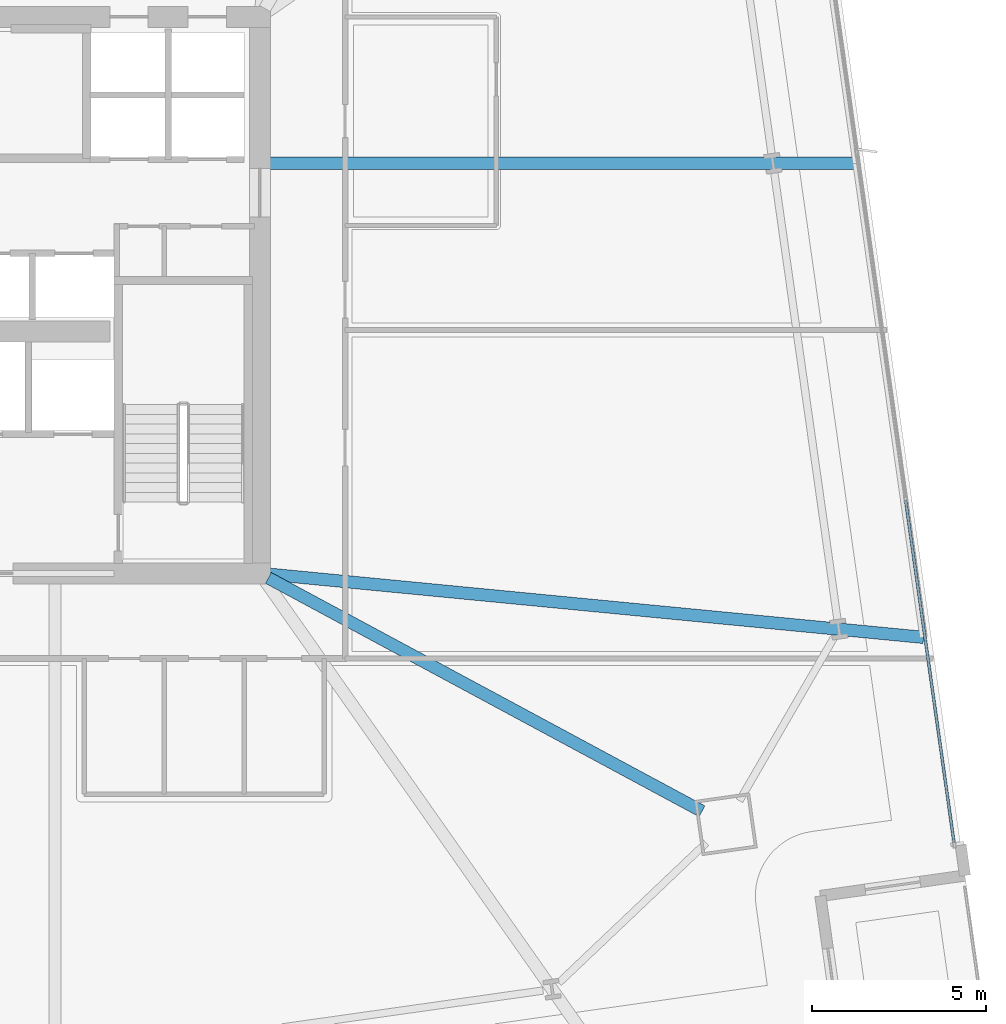
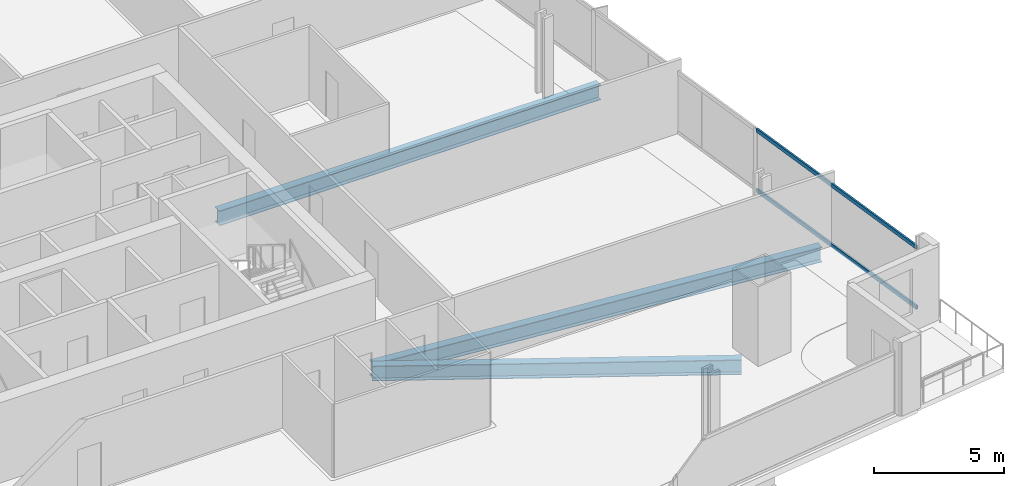
# One storey, part 12 of 33: 3 beams, 2 members, 1 element without a shape of its own.
"""IFC4 building model written with IfcOpenShell, lengths in metres."""

from ifc_helpers import new_model, si_unit, direction, frame, origin, origin_2d, place, context, subcontext, project, spatial, hollow_rectangle, i_section, extrude, material, material_profile, profile_set, type_object, element, aggregate, save


model = new_model("IFC4")

# Units and contexts
model_context = context("Model", 3, precision=1e-05, world=origin(), true_north=direction((0.0, 1.0)))
body_context = subcontext(model_context, "Body", "Model", "MODEL_VIEW")
ifc_project = project(units=[si_unit("LENGTHUNIT", "METRE"), si_unit("AREAUNIT", "SQUARE_METRE"), si_unit("VOLUMEUNIT", "CUBIC_METRE"), si_unit("PLANEANGLEUNIT", "RADIAN"), si_unit("MASSUNIT", "GRAM", prefix="KILO")], contexts=[model_context])

# Site, building, storey
site_placement = place(None, origin())
site = spatial("IfcSite", under=ifc_project, at=site_placement, CompositionType="ELEMENT")
building_placement = place(site_placement, origin())
building = spatial("IfcBuilding", under=site, at=building_placement, Name="Haldenkirk Collegiate Tower", CompositionType="ELEMENT")
storey_placement = place(building_placement, frame((0.0, 0.0, 55.199951171875)))
storey = spatial("IfcBuildingStorey", under=building, at=storey_placement, Name="L12", CompositionType="ELEMENT", Elevation=55.199951171875)

# Beams
ifc_material_1 = material(Name="Steel ASTM A992 Grade 50", Category="steel")
ifc_material_profile_1 = material_profile(ifc_material_1, i_section(OverallWidth=0.35498046875, OverallDepth=0.696044921875, WebThickness=0.015380859375, FlangeThickness=0.02490234375, at=origin_2d()), Name="W27X146")
ifc_profile_set_1 = profile_set([ifc_material_profile_1], Name="Steel ASTM A992 Grade 50")
beam_type = type_object("IfcBeamType", Name="BM-GIRDER-W27X146", PredefinedType="BEAM", material=ifc_profile_set_1)
beam_1_placement = place(storey_placement, frame((57.71435546875, 11.15673828125, -0.657958984375), z_axis=(-0.880558564783, 0.473937352386, 0.0), x_axis=(-0.473937352386, -0.880558564783, 0.0)))
element("IfcBeam", 1, at=beam_1_placement, inside=storey, type_object=beam_type, Name="L12 primary floor girder 02", PredefinedType="BEAM", context=body_context, shape_type="SweptSolid", body=[
    extrude(i_section(OverallWidth=0.35498046875, OverallDepth=0.696044921875, WebThickness=0.015380859375, FlangeThickness=0.02490234375, at=origin_2d()), origin(), (0.0, 0.0, 1.0), 14.158935546875),
])
beam_2_placement = place(storey_placement, frame((64.0849609375, 16.15771484375, -0.657958984375), z_axis=(-0.995372925008, 0.096087148778, 0.0), x_axis=(-0.096087148778, -0.995372925008, 0.0)))
element("IfcBeam", 2, at=beam_2_placement, inside=storey, type_object=beam_type, Name="L12 primary floor girder 08", PredefinedType="BEAM", context=body_context, shape_type="SweptSolid", body=[
    extrude(i_section(OverallWidth=0.35498046875, OverallDepth=0.696044921875, WebThickness=0.015380859375, FlangeThickness=0.02490234375, at=origin_2d()), origin(), (0.0, 0.0, 1.0), 18.8935546875),
])
beam_3_placement = place(storey_placement, frame((62.1572265625, 29.788818359375, -0.657958984375), z_axis=(-1.0, 0.0, 0.0), x_axis=(0.0, -1.0, 0.0)))
element("IfcBeam", 3, at=beam_3_placement, inside=storey, type_object=beam_type, Name="L12 primary floor girder 09", PredefinedType="BEAM", context=body_context, shape_type="SweptSolid", body=[
    extrude(i_section(OverallWidth=0.35498046875, OverallDepth=0.696044921875, WebThickness=0.015380859375, FlangeThickness=0.02490234375, at=origin_2d()), origin(), (0.0, 0.0, 1.0), 16.877197265625),
])

# Curtain wall, members
ifc_material_2 = material(Name="Anodised architectural bronze aluminium", Category="aluminium")
curtain_wall_type = type_object("IfcCurtainWallType", Name="CW-SYS1-CONVEX-LOW", PredefinedType="USERDEFINED", material=ifc_material_2)
curtain_wall_placement = place(storey_placement, origin())
curtain_wall = element("IfcCurtainWall", 4, at=curtain_wall_placement, inside=storey, type_object=curtain_wall_type, Name="L12 Lower tower convex bronze-framed unitised curtain wall", ObjectType="UNITISED CURTAIN WALL", PredefinedType="USERDEFINED")
ifc_material_profile_2 = material_profile(ifc_material_2, hollow_rectangle(XDim=0.080078125, YDim=0.179931640625, WallThickness=0.0048828125, at=origin_2d()), Name="CW-TRN-1A")
ifc_profile_set_2 = profile_set([ifc_material_profile_2], Name="Anodised architectural bronze aluminium")
member_type = type_object("IfcMemberType", Name="CW-TRN-1A", PredefinedType="USERDEFINED", material=ifc_profile_set_2)
member_1_placement = place(storey_placement, frame((63.567138671875, 20.10595703125, 0.0400390625), z_axis=(0.140026351182, -0.990147777342, 0.0), x_axis=(0.990147777342, 0.140026351182, 0.0)))
member_1 = element("IfcMember", 5, at=member_1_placement, type_object=member_type, Name="CW-1A transom 4.1", ObjectType="TRANSOM", PredefinedType="USERDEFINED", context=body_context, shape_type="SweptSolid", body=[
    extrude(hollow_rectangle(XDim=0.080078125, YDim=0.179931640625, WallThickness=0.0048828125, at=origin_2d()), origin(), (0.0, 0.0, 1.0), 9.948486328125),
])
member_2_placement = place(storey_placement, frame((63.567138671875, 20.10595703125, 2.85107421875), z_axis=(0.140026351182, -0.990147777342, 0.0), x_axis=(0.990147777342, 0.140026351182, 0.0)))
member_2 = element("IfcMember", 6, at=member_2_placement, type_object=member_type, Name="CW-1A transom 4.2", ObjectType="TRANSOM", PredefinedType="USERDEFINED", context=body_context, shape_type="SweptSolid", body=[
    extrude(hollow_rectangle(XDim=0.080078125, YDim=0.179931640625, WallThickness=0.0048828125, at=origin_2d()), origin(), (0.0, 0.0, 1.0), 9.948486328125),
])
aggregate(curtain_wall, [member_1, member_2])

save(model, "model.ifc")
